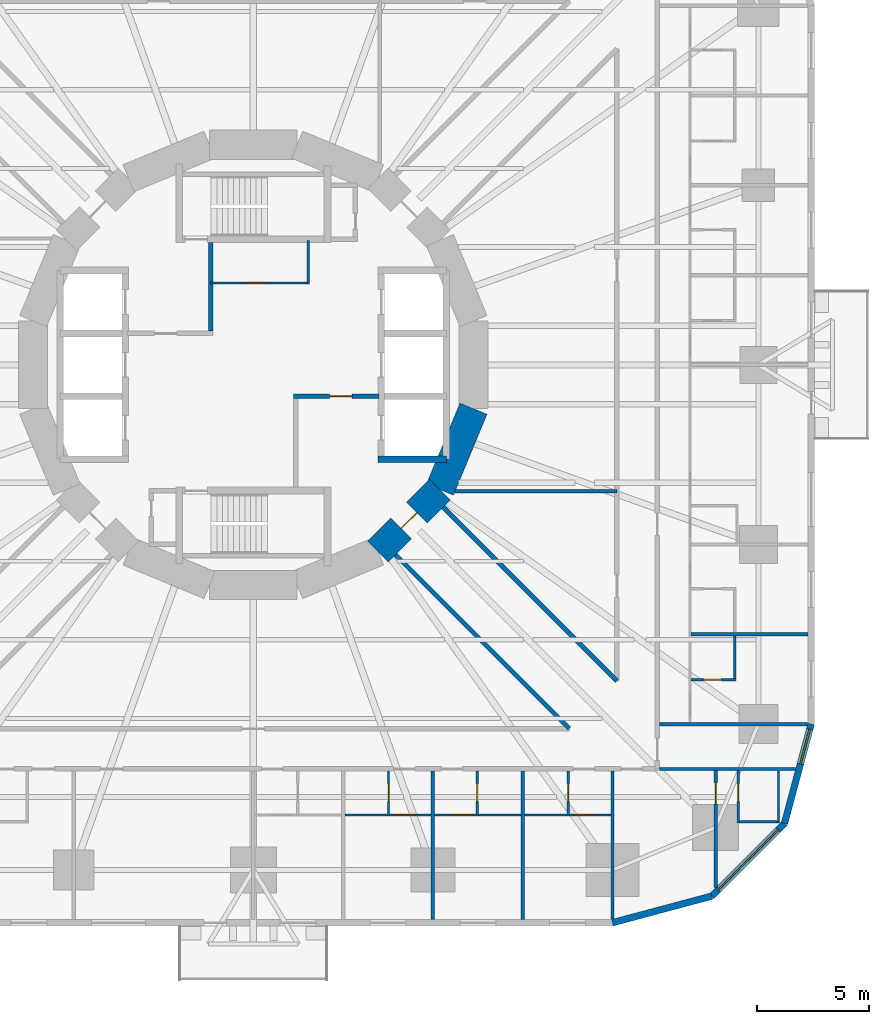
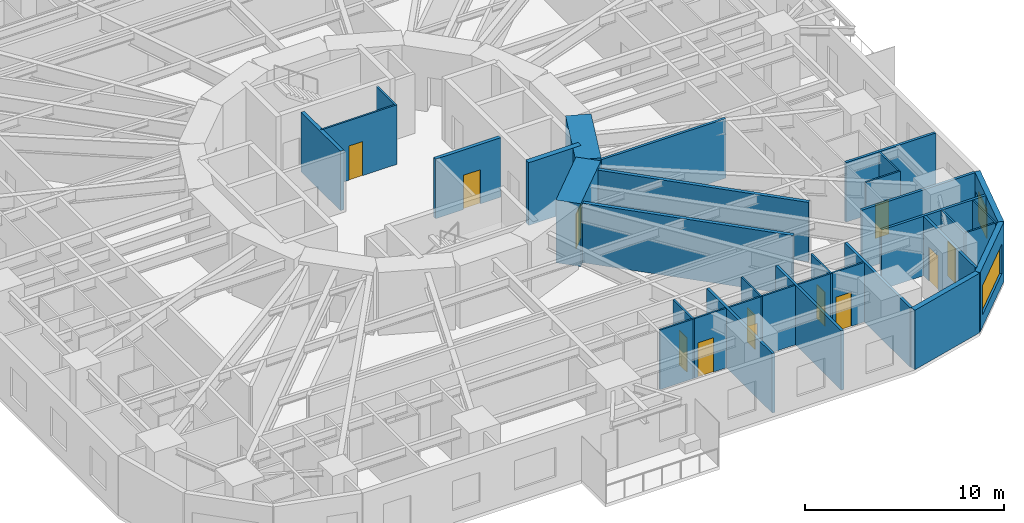
# One storey, part 7 of 14: 34 walls, 12 doors, 2 windows, 14 openings.
"""IFC4 building model written with IfcOpenShell, lengths in metres."""

from ifc_helpers import new_model, si_unit, direction, frame, frame_2d, origin, place, context, subcontext, project, spatial, rectangle, extrude, material, layer, layer_set, type_object, element, fill, save


model = new_model("IFC4")

# Units and contexts
model_context = context("Model", 3, precision=1e-05, world=origin(), true_north=direction((0.0, 1.0)))
body_context = subcontext(model_context, "Body", "Model", "MODEL_VIEW")
ifc_project = project(units=[si_unit("LENGTHUNIT", "METRE"), si_unit("AREAUNIT", "SQUARE_METRE"), si_unit("VOLUMEUNIT", "CUBIC_METRE"), si_unit("PLANEANGLEUNIT", "RADIAN"), si_unit("MASSUNIT", "GRAM", prefix="KILO")], contexts=[model_context])

# Site, building, storey
site_placement = place(None, origin())
site = spatial("IfcSite", under=ifc_project, at=site_placement, CompositionType="ELEMENT")
building_placement = place(site_placement, origin())
building = spatial("IfcBuilding", under=site, at=building_placement, Name="Nakasero Lantern House", CompositionType="ELEMENT")
storey_placement = place(building_placement, frame((0.0, 0.0, 35.25)))
storey = spatial("IfcBuildingStorey", under=building, at=storey_placement, Name="L08", CompositionType="ELEMENT", Elevation=35.25)

# Wall
ifc_material_1 = material(Name="Concrete C50/60", Category="concrete")
ifc_layer_1 = layer(ifc_material_1, 0.300048828125)
ifc_layer_set_1 = layer_set([ifc_layer_1], Name="Core inner wall 300")
wall_type_1 = type_object("IfcWallType", Name="Core inner wall 300", PredefinedType="SHEAR", material=ifc_layer_set_1)
wall_1_placement = place(storey_placement, frame((5.550048828125, -4.199951171875, 0.0), z_axis=(0.0, 0.0, 1.0), x_axis=(1.0, 0.0, 0.0)))
element("IfcWall", 1, at=wall_1_placement, inside=storey, type_object=wall_type_1, Name="Core inner wall L08 LES", PredefinedType="SHEAR", context=body_context, shape_type="SweptSolid", body=[
    extrude(rectangle(XDim=3.050048828125, YDim=0.300048828125, at=frame_2d((1.52490234375, 0.0))), origin(), (0.0, 0.0, 1.0), 3.85009765625),
])

# Wall, opening, door
ifc_material_2 = material(Name="Blockwork", Category="masonry")
ifc_layer_2 = layer(ifc_material_2, 0.10009765625)
ifc_layer_set_2 = layer_set([ifc_layer_2], Name="Core room wall 100")
wall_type_2 = type_object("IfcWallType", Name="Core room wall 100", PredefinedType="PARTITIONING", material=ifc_layer_set_2)
wall_2_placement = place(storey_placement, frame((-1.89990234375, 3.64990234375, 0.0), z_axis=(0.0, 0.0, 1.0), x_axis=(1.0, 0.0, 0.0)))
wall_2 = element("IfcWall", 2, at=wall_2_placement, inside=storey, type_object=wall_type_2, Name="Core room wall L08 CR-NES", PredefinedType="PARTITIONING", context=body_context, shape_type="SweptSolid", body=[
    extrude(rectangle(XDim=4.39990234375, YDim=0.10009765625, at=frame_2d((2.199951171875, 0.0))), origin(), (0.0, 0.0, 1.0), 3.64990234375),
])
opening_1_placement = place(wall_2_placement, frame((1.60009765625, 0.0, 0.0)))
opening_1 = element("IfcOpeningElement", 3, at=opening_1_placement, cuts=wall_2, Name="Opening D15", PredefinedType="OPENING", context=body_context, shape_type="SweptSolid", body=[
    extrude(rectangle(XDim=0.800048828125, YDim=2.10009765625, at=frame_2d((0.39990234375, 1.050048828125))), frame((0.0, 0.070068359375, 0.0), z_axis=(0.0, -1.0, 0.0), x_axis=(1.0, 0.0, 0.0)), (0.0, 0.0, 1.0), 0.14013671875),
])
ifc_material_3 = material(Name="Timber C24", Category="wood")
door_type_1 = type_object("IfcDoorType", Name="Cleaner's store door FD30S 800", OperationType="SINGLE_SWING_LEFT", PredefinedType="DOOR", material=ifc_material_3)
door_1_placement = place(opening_1_placement, origin())
door_1 = element("IfcDoor", 4, at=door_1_placement, inside=storey, type_object=door_type_1, Name="Door L08 D-CR-NE", OperationType="SINGLE_SWING_LEFT", OverallHeight=2.10009765625, OverallWidth=0.800048828125, PredefinedType="DOOR", context=body_context, shape_type="SweptSolid", body=[
    extrude(rectangle(XDim=0.800048828125, YDim=2.10009765625, at=frame_2d((0.39990234375, 1.050048828125))), frame((0.0, 0.02490234375, 0.0), z_axis=(0.0, -1.0, 0.0), x_axis=(1.0, 0.0, 0.0)), (0.0, 0.0, 1.0), 0.050048828125),
])
fill(opening_1, door_1)

# Wall
wall_3_placement = place(storey_placement, frame((2.449951171875, 3.60009765625, 0.0), z_axis=(0.0, 0.0, 1.0), x_axis=(0.0, 1.0, 0.0)))
element("IfcWall", 5, at=wall_3_placement, inside=storey, type_object=wall_type_2, Name="Core room wall L08 CR-NEE", PredefinedType="PARTITIONING", context=body_context, shape_type="SweptSolid", body=[
    extrude(rectangle(XDim=1.949951171875, YDim=0.10009765625, at=frame_2d((0.97509765625, 0.0))), origin(), (0.0, 0.0, 1.0), 3.64990234375),
])

# Wall, opening, door
ifc_material_4 = material(Name="Concrete C50/60", Category="concrete")
ifc_layer_3 = layer(ifc_material_4, 1.300048828125)
ifc_layer_set_3 = layer_set([ifc_layer_3], Name="Core wall 1300")
wall_type_3 = type_object("IfcWallType", Name="Core wall 1300", PredefinedType="SHEAR", material=ifc_layer_set_3)
wall_4_placement = place(storey_placement, frame((5.5556640625, -8.314697265625, 0.0), z_axis=(0.0, 0.0, 1.0), x_axis=(0.707106781187, 0.707106781187, 0.0)))
wall_4 = element("IfcWall", 6, at=wall_4_placement, inside=storey, type_object=wall_type_3, Name="Core wall L08 facet 14", PredefinedType="SHEAR", context=body_context, shape_type="SweptSolid", body=[
    extrude(rectangle(XDim=3.90185546875, YDim=1.300048828125, at=frame_2d((1.950927734375, 0.0))), origin(), (0.0, 0.0, 1.0), 3.85009765625),
])
opening_2_placement = place(wall_4_placement, frame((1.450927734375, 0.0, 0.0)))
opening_2 = element("IfcOpeningElement", 7, at=opening_2_placement, cuts=wall_4, Name="Opening D05", PredefinedType="OPENING", context=body_context, shape_type="SweptSolid", body=[
    extrude(rectangle(XDim=1.0, YDim=2.10009765625, at=frame_2d((0.5, 1.050048828125))), frame((0.0, 0.669921875, 0.0), z_axis=(0.0, -1.0, 0.0), x_axis=(1.0, 0.0, 0.0)), (0.0, 0.0, 1.0), 1.340087890625),
])
ifc_material_5 = material(Name="Timber C24", Category="wood")
door_type_2 = type_object("IfcDoorType", Name="Core door FD60S 1000", OperationType="SINGLE_SWING_LEFT", PredefinedType="DOOR", material=ifc_material_5)
door_2_placement = place(opening_2_placement, origin())
door_2 = element("IfcDoor", 8, at=door_2_placement, inside=storey, type_object=door_type_2, Name="Door L08 D-CORE14", OperationType="SINGLE_SWING_LEFT", OverallHeight=2.10009765625, OverallWidth=1.0, PredefinedType="DOOR", context=body_context, shape_type="SweptSolid", body=[
    extrude(rectangle(XDim=1.0, YDim=2.10009765625, at=frame_2d((0.5, 1.050048828125))), frame((0.0, 0.02490234375, 0.0), z_axis=(0.0, -1.0, 0.0), x_axis=(1.0, 0.0, 0.0)), (0.0, 0.0, 1.0), 0.050048828125),
])
fill(opening_2, door_2)

# Walls
wall_5_placement = place(storey_placement, frame((8.314697265625, -5.5556640625, 0.0), z_axis=(0.0, 0.0, 1.0), x_axis=(0.382690736062, 0.923876507187, 0.0)))
element("IfcWall", 9, at=wall_5_placement, inside=storey, type_object=wall_type_3, Name="Core wall L08 facet 15", PredefinedType="SHEAR", context=body_context, shape_type="SweptSolid", body=[
    extrude(rectangle(XDim=3.90185546875, YDim=1.300048828125, at=frame_2d((1.950927734375, 0.0))), origin(), (0.0, 0.0, 1.0), 3.85009765625),
])
ifc_material_6 = material(Name="Blockwork", Category="masonry")
ifc_layer_4 = layer(ifc_material_6, 0.199951171875)
ifc_layer_set_4 = layer_set([ifc_layer_4], Name="Corridor wall 200")
wall_type_4 = type_object("IfcWallType", Name="Corridor wall 200", PredefinedType="PARTITIONING", material=ifc_layer_set_4)
for number, where, z_axis, x_axis, name in (
    (10, (8.45556640625, -6.334228515625, 0.0), (0.0, 0.0, 1.0), (0.707106781187, -0.707106781187, 0.0), "Corridor wall L08 PS14a"),
    (11, (6.334228515625, -8.45556640625, 0.0), (0.0, 0.0, 1.0), (0.707106781187, -0.707106781187, 0.0), "Corridor wall L08 PS14b"),
):
    element("IfcWall", number, at=place(storey_placement, frame(where, z_axis=z_axis, x_axis=x_axis)), inside=storey, type_object=wall_type_4, Name=name, PredefinedType="PARTITIONING", context=body_context, shape_type="SweptSolid", body=[
        extrude(rectangle(XDim=10.9521484375, YDim=0.199951171875, at=frame_2d((5.47607421875, 0.0))), origin(), (0.0, 0.0, 1.0), 3.64990234375),
    ])

# Wall, opening, door
ifc_material_7 = material(Name="Blockwork", Category="masonry")
ifc_layer_5 = layer(ifc_material_7, 0.10009765625)
ifc_layer_set_5 = layer_set([ifc_layer_5], Name="En-suite wall 100")
wall_type_5 = type_object("IfcWallType", Name="En-suite wall 100", PredefinedType="PARTITIONING", material=ifc_layer_set_5)
wall_6_placement = place(storey_placement, frame((19.5, -14.02490234375, 0.0), z_axis=(0.0, 0.0, 1.0), x_axis=(1.0, 0.0, 0.0)))
wall_6 = element("IfcWall", 12, at=wall_6_placement, inside=storey, type_object=wall_type_5, Name="En-suite wall L08 ES0-01", PredefinedType="PARTITIONING", context=body_context, shape_type="SweptSolid", body=[
    extrude(rectangle(XDim=2.0, YDim=0.10009765625, at=frame_2d((1.0, 0.0))), origin(), (0.0, 0.0, 1.0), 3.64990234375),
])
opening_3_placement = place(wall_6_placement, frame((0.550048828125, 0.0, 0.0)))
opening_3 = element("IfcOpeningElement", 13, at=opening_3_placement, cuts=wall_6, Name="Opening D02", PredefinedType="OPENING", context=body_context, shape_type="SweptSolid", body=[
    extrude(rectangle(XDim=0.800048828125, YDim=2.10009765625, at=frame_2d((0.39990234375, 1.050048828125))), frame((0.0, 0.070068359375, 0.0), z_axis=(0.0, -1.0, 0.0), x_axis=(1.0, 0.0, 0.0)), (0.0, 0.0, 1.0), 0.14013671875),
])
ifc_material_8 = material(Name="Timber C24", Category="wood")
door_type_3 = type_object("IfcDoorType", Name="En-suite door 800", OperationType="SINGLE_SWING_RIGHT", PredefinedType="DOOR", material=ifc_material_8)
door_3_placement = place(opening_3_placement, origin())
door_3 = element("IfcDoor", 14, at=door_3_placement, inside=storey, type_object=door_type_3, Name="Door L08 DE0-01", OperationType="SINGLE_SWING_LEFT", OverallHeight=2.10009765625, OverallWidth=0.800048828125, PredefinedType="DOOR", context=body_context, shape_type="SweptSolid", body=[
    extrude(rectangle(XDim=0.800048828125, YDim=2.10009765625, at=frame_2d((0.39990234375, 1.050048828125))), frame((0.0, 0.02490234375, 0.0), z_axis=(0.0, -1.0, 0.0), x_axis=(1.0, 0.0, 0.0)), (0.0, 0.0, 1.0), 0.050048828125),
])
fill(opening_3, door_3)

# Wall
wall_7_placement = place(storey_placement, frame((21.449951171875, -13.97509765625, 0.0), z_axis=(0.0, 0.0, 1.0), x_axis=(0.0, 1.0, 0.0)))
element("IfcWall", 15, at=wall_7_placement, inside=storey, type_object=wall_type_5, Name="En-suite wall L08 EE0-01", PredefinedType="PARTITIONING", context=body_context, shape_type="SweptSolid", body=[
    extrude(rectangle(XDim=1.900146484375, YDim=0.10009765625, at=frame_2d((0.9501953125, 0.0))), origin(), (0.0, 0.0, 1.0), 3.64990234375),
])

# Wall, opening, door
wall_8_placement = place(storey_placement, frame((6.02490234375, -18.10009765625, 0.0), z_axis=(0.0, 0.0, 1.0), x_axis=(0.0, -1.0, 0.0)))
wall_8 = element("IfcWall", 16, at=wall_8_placement, inside=storey, type_object=wall_type_5, Name="En-suite wall L08 ES3-06", PredefinedType="PARTITIONING", context=body_context, shape_type="SweptSolid", body=[
    extrude(rectangle(XDim=2.0, YDim=0.10009765625, at=frame_2d((1.0, 0.0))), origin(), (0.0, 0.0, 1.0), 3.64990234375),
])
opening_4_placement = place(wall_8_placement, frame((0.550048828125, 0.0, 0.0)))
opening_4 = element("IfcOpeningElement", 17, at=opening_4_placement, cuts=wall_8, Name="Opening D02", PredefinedType="OPENING", context=body_context, shape_type="SweptSolid", body=[
    extrude(rectangle(XDim=0.800048828125, YDim=2.10009765625, at=frame_2d((0.39990234375, 1.050048828125))), frame((0.0, 0.070068359375, 0.0), z_axis=(0.0, -1.0, 0.0), x_axis=(1.0, 0.0, 0.0)), (0.0, 0.0, 1.0), 0.14013671875),
])
door_4_placement = place(opening_4_placement, origin())
door_4 = element("IfcDoor", 18, at=door_4_placement, inside=storey, type_object=door_type_3, Name="Door L08 DE3-06", OperationType="SINGLE_SWING_LEFT", OverallHeight=2.10009765625, OverallWidth=0.800048828125, PredefinedType="DOOR", context=body_context, shape_type="SweptSolid", body=[
    extrude(rectangle(XDim=0.800048828125, YDim=2.10009765625, at=frame_2d((0.39990234375, 1.050048828125))), frame((0.0, 0.02490234375, 0.0), z_axis=(0.0, -1.0, 0.0), x_axis=(1.0, 0.0, 0.0)), (0.0, 0.0, 1.0), 0.050048828125),
])
fill(opening_4, door_4)

# Wall
wall_9_placement = place(storey_placement, frame((4.074951171875, -20.050048828125, 0.0), z_axis=(0.0, 0.0, 1.0), x_axis=(1.0, 0.0, 0.0)))
element("IfcWall", 19, at=wall_9_placement, inside=storey, type_object=wall_type_5, Name="En-suite wall L08 EE3-06", PredefinedType="PARTITIONING", context=body_context, shape_type="SweptSolid", body=[
    extrude(rectangle(XDim=1.900146484375, YDim=0.10009765625, at=frame_2d((0.9501953125, 0.0))), origin(), (0.0, 0.0, 1.0), 3.64990234375),
])

# Wall, opening, door
wall_10_placement = place(storey_placement, frame((9.97509765625, -18.10009765625, 0.0), z_axis=(0.0, 0.0, 1.0), x_axis=(0.0, -1.0, 0.0)))
wall_10 = element("IfcWall", 20, at=wall_10_placement, inside=storey, type_object=wall_type_5, Name="En-suite wall L08 ES3-07", PredefinedType="PARTITIONING", context=body_context, shape_type="SweptSolid", body=[
    extrude(rectangle(XDim=2.0, YDim=0.10009765625, at=frame_2d((1.0, 0.0))), origin(), (0.0, 0.0, 1.0), 3.64990234375),
])
opening_5_placement = place(wall_10_placement, frame((0.550048828125, 0.0, 0.0)))
opening_5 = element("IfcOpeningElement", 21, at=opening_5_placement, cuts=wall_10, Name="Opening D02", PredefinedType="OPENING", context=body_context, shape_type="SweptSolid", body=[
    extrude(rectangle(XDim=0.800048828125, YDim=2.10009765625, at=frame_2d((0.39990234375, 1.050048828125))), frame((0.0, 0.070068359375, 0.0), z_axis=(0.0, -1.0, 0.0), x_axis=(1.0, 0.0, 0.0)), (0.0, 0.0, 1.0), 0.14013671875),
])
door_5_placement = place(opening_5_placement, origin())
door_5 = element("IfcDoor", 22, at=door_5_placement, inside=storey, type_object=door_type_3, Name="Door L08 DE3-07", OperationType="SINGLE_SWING_LEFT", OverallHeight=2.10009765625, OverallWidth=0.800048828125, PredefinedType="DOOR", context=body_context, shape_type="SweptSolid", body=[
    extrude(rectangle(XDim=0.800048828125, YDim=2.10009765625, at=frame_2d((0.39990234375, 1.050048828125))), frame((0.0, 0.02490234375, 0.0), z_axis=(0.0, -1.0, 0.0), x_axis=(1.0, 0.0, 0.0)), (0.0, 0.0, 1.0), 0.050048828125),
])
fill(opening_5, door_5)

# Wall
wall_11_placement = place(storey_placement, frame((10.02490234375, -20.050048828125, 0.0), z_axis=(0.0, 0.0, 1.0), x_axis=(1.0, 0.0, 0.0)))
element("IfcWall", 23, at=wall_11_placement, inside=storey, type_object=wall_type_5, Name="En-suite wall L08 EE3-07", PredefinedType="PARTITIONING", context=body_context, shape_type="SweptSolid", body=[
    extrude(rectangle(XDim=1.900146484375, YDim=0.10009765625, at=frame_2d((0.9501953125, 0.0))), origin(), (0.0, 0.0, 1.0), 3.64990234375),
])

# Wall, opening, door
wall_12_placement = place(storey_placement, frame((14.02490234375, -18.10009765625, 0.0), z_axis=(0.0, 0.0, 1.0), x_axis=(0.0, -1.0, 0.0)))
wall_12 = element("IfcWall", 24, at=wall_12_placement, inside=storey, type_object=wall_type_5, Name="En-suite wall L08 ES3-08", PredefinedType="PARTITIONING", context=body_context, shape_type="SweptSolid", body=[
    extrude(rectangle(XDim=2.0, YDim=0.10009765625, at=frame_2d((1.0, 0.0))), origin(), (0.0, 0.0, 1.0), 3.64990234375),
])
opening_6_placement = place(wall_12_placement, frame((0.550048828125, 0.0, 0.0)))
opening_6 = element("IfcOpeningElement", 25, at=opening_6_placement, cuts=wall_12, Name="Opening D02", PredefinedType="OPENING", context=body_context, shape_type="SweptSolid", body=[
    extrude(rectangle(XDim=0.800048828125, YDim=2.10009765625, at=frame_2d((0.39990234375, 1.050048828125))), frame((0.0, 0.070068359375, 0.0), z_axis=(0.0, -1.0, 0.0), x_axis=(1.0, 0.0, 0.0)), (0.0, 0.0, 1.0), 0.14013671875),
])
door_6_placement = place(opening_6_placement, origin())
door_6 = element("IfcDoor", 26, at=door_6_placement, inside=storey, type_object=door_type_3, Name="Door L08 DE3-08", OperationType="SINGLE_SWING_LEFT", OverallHeight=2.10009765625, OverallWidth=0.800048828125, PredefinedType="DOOR", context=body_context, shape_type="SweptSolid", body=[
    extrude(rectangle(XDim=0.800048828125, YDim=2.10009765625, at=frame_2d((0.39990234375, 1.050048828125))), frame((0.0, 0.02490234375, 0.0), z_axis=(0.0, -1.0, 0.0), x_axis=(1.0, 0.0, 0.0)), (0.0, 0.0, 1.0), 0.050048828125),
])
fill(opening_6, door_6)

# Wall
wall_13_placement = place(storey_placement, frame((12.074951171875, -20.050048828125, 0.0), z_axis=(0.0, 0.0, 1.0), x_axis=(1.0, 0.0, 0.0)))
element("IfcWall", 27, at=wall_13_placement, inside=storey, type_object=wall_type_5, Name="En-suite wall L08 EE3-08", PredefinedType="PARTITIONING", context=body_context, shape_type="SweptSolid", body=[
    extrude(rectangle(XDim=1.900146484375, YDim=0.10009765625, at=frame_2d((0.9501953125, 0.0))), origin(), (0.0, 0.0, 1.0), 3.64990234375),
])

# Wall, opening, door
wall_14_placement = place(storey_placement, frame((21.59619140625, -18.06494140625, 0.0), z_axis=(0.0, 0.0, 1.0), x_axis=(0.0, -1.0, 0.0)))
wall_14 = element("IfcWall", 28, at=wall_14_placement, inside=storey, type_object=wall_type_5, Name="En-suite wall L08 ES3-09", PredefinedType="PARTITIONING", context=body_context, shape_type="SweptSolid", body=[
    extrude(rectangle(XDim=2.3349609375, YDim=0.10009765625, at=frame_2d((1.16748046875, 0.0))), origin(), (0.0, 0.0, 1.0), 3.64990234375),
])
opening_7_placement = place(wall_14_placement, frame((0.5849609375, 0.0, 0.0)))
opening_7 = element("IfcOpeningElement", 29, at=opening_7_placement, cuts=wall_14, Name="Opening D02", PredefinedType="OPENING", context=body_context, shape_type="SweptSolid", body=[
    extrude(rectangle(XDim=0.800048828125, YDim=2.10009765625, at=frame_2d((0.39990234375, 1.050048828125))), frame((0.0, 0.070068359375, 0.0), z_axis=(0.0, -1.0, 0.0), x_axis=(1.0, 0.0, 0.0)), (0.0, 0.0, 1.0), 0.14013671875),
])
door_7_placement = place(opening_7_placement, origin())
door_7 = element("IfcDoor", 30, at=door_7_placement, inside=storey, type_object=door_type_3, Name="Door L08 DE3-09", OperationType="SINGLE_SWING_LEFT", OverallHeight=2.10009765625, OverallWidth=0.800048828125, PredefinedType="DOOR", context=body_context, shape_type="SweptSolid", body=[
    extrude(rectangle(XDim=0.800048828125, YDim=2.10009765625, at=frame_2d((0.39990234375, 1.050048828125))), frame((0.0, 0.02490234375, 0.0), z_axis=(0.0, -1.0, 0.0), x_axis=(1.0, 0.0, 0.0)), (0.0, 0.0, 1.0), 0.050048828125),
])
fill(opening_7, door_7)

# Walls
wall_15_placement = place(storey_placement, frame((21.646240234375, -20.35009765625, 0.0), z_axis=(0.0, 0.0, 1.0), x_axis=(1.0, 0.0, 0.0)))
element("IfcWall", 31, at=wall_15_placement, inside=storey, type_object=wall_type_5, Name="En-suite wall L08 EE3-09", PredefinedType="PARTITIONING", context=body_context, shape_type="SweptSolid", body=[
    extrude(rectangle(XDim=1.699951171875, YDim=0.10009765625, at=frame_2d((0.85009765625, 0.0))), origin(), (0.0, 0.0, 1.0), 3.64990234375),
])
wall_16_placement = place(storey_placement, frame((23.396240234375, -18.10009765625, 0.0), z_axis=(0.0, 0.0, 1.0), x_axis=(0.0, -1.0, 0.0)))
element("IfcWall", 32, at=wall_16_placement, inside=storey, type_object=wall_type_5, Name="En-suite wall L08 EV3-09", PredefinedType="PARTITIONING", context=body_context, shape_type="SweptSolid", body=[
    extrude(rectangle(XDim=2.2998046875, YDim=0.10009765625, at=frame_2d((1.14990234375, 0.0))), origin(), (0.0, 0.0, 1.0), 3.64990234375),
])

# Wall, opening, door
wall_17_placement = place(storey_placement, frame((6.074951171875, -20.050048828125, 0.0), z_axis=(0.0, 0.0, 1.0), x_axis=(1.0, 0.0, 0.0)))
wall_17 = element("IfcWall", 33, at=wall_17_placement, inside=storey, type_object=wall_type_5, Name="En-suite wall L08 EL3-06", PredefinedType="PARTITIONING", context=body_context, shape_type="SweptSolid", body=[
    extrude(rectangle(XDim=1.85009765625, YDim=0.10009765625, at=frame_2d((0.925048828125, 0.0))), origin(), (0.0, 0.0, 1.0), 3.64990234375),
])
opening_8_placement = place(wall_17_placement, frame((0.199951171875, 0.0, 0.0)))
opening_8 = element("IfcOpeningElement", 34, at=opening_8_placement, cuts=wall_17, Name="Opening D17", PredefinedType="OPENING", context=body_context, shape_type="SweptSolid", body=[
    extrude(rectangle(XDim=0.89990234375, YDim=2.10009765625, at=frame_2d((0.449951171875, 1.050048828125))), frame((0.0, 0.070068359375, 0.0), z_axis=(0.0, -1.0, 0.0), x_axis=(1.0, 0.0, 0.0)), (0.0, 0.0, 1.0), 0.14013671875),
])
ifc_material_9 = material(Name="Timber C24", Category="wood")
door_type_4 = type_object("IfcDoorType", Name="Bedroom door FD30S 900", OperationType="SINGLE_SWING_LEFT", PredefinedType="DOOR", material=ifc_material_9)
door_8_placement = place(opening_8_placement, origin())
door_8 = element("IfcDoor", 35, at=door_8_placement, inside=storey, type_object=door_type_4, Name="Door L08 DL3-06", OperationType="SINGLE_SWING_LEFT", OverallHeight=2.10009765625, OverallWidth=0.89990234375, PredefinedType="DOOR", context=body_context, shape_type="SweptSolid", body=[
    extrude(rectangle(XDim=0.89990234375, YDim=2.10009765625, at=frame_2d((0.449951171875, 1.050048828125))), frame((0.0, 0.02490234375, 0.0), z_axis=(0.0, -1.0, 0.0), x_axis=(1.0, 0.0, 0.0)), (0.0, 0.0, 1.0), 0.050048828125),
])
fill(opening_8, door_8)

wall_18_placement = place(storey_placement, frame((8.074951171875, -20.050048828125, 0.0), z_axis=(0.0, 0.0, 1.0), x_axis=(1.0, 0.0, 0.0)))
wall_18 = element("IfcWall", 36, at=wall_18_placement, inside=storey, type_object=wall_type_5, Name="En-suite wall L08 EL3-07", PredefinedType="PARTITIONING", context=body_context, shape_type="SweptSolid", body=[
    extrude(rectangle(XDim=1.85009765625, YDim=0.10009765625, at=frame_2d((0.925048828125, 0.0))), origin(), (0.0, 0.0, 1.0), 3.64990234375),
])
opening_9_placement = place(wall_18_placement, frame((0.75, 0.0, 0.0)))
opening_9 = element("IfcOpeningElement", 37, at=opening_9_placement, cuts=wall_18, Name="Opening D17", PredefinedType="OPENING", context=body_context, shape_type="SweptSolid", body=[
    extrude(rectangle(XDim=0.89990234375, YDim=2.10009765625, at=frame_2d((0.449951171875, 1.050048828125))), frame((0.0, 0.070068359375, 0.0), z_axis=(0.0, -1.0, 0.0), x_axis=(1.0, 0.0, 0.0)), (0.0, 0.0, 1.0), 0.14013671875),
])
door_9_placement = place(opening_9_placement, origin())
door_9 = element("IfcDoor", 38, at=door_9_placement, inside=storey, type_object=door_type_4, Name="Door L08 DL3-07", OperationType="SINGLE_SWING_RIGHT", OverallHeight=2.10009765625, OverallWidth=0.89990234375, PredefinedType="DOOR", context=body_context, shape_type="SweptSolid", body=[
    extrude(rectangle(XDim=0.89990234375, YDim=2.10009765625, at=frame_2d((0.449951171875, 1.050048828125))), frame((0.0, 0.02490234375, 0.0), z_axis=(0.0, -1.0, 0.0), x_axis=(1.0, 0.0, 0.0)), (0.0, 0.0, 1.0), 0.050048828125),
])
fill(opening_9, door_9)

wall_19_placement = place(storey_placement, frame((14.074951171875, -20.050048828125, 0.0), z_axis=(0.0, 0.0, 1.0), x_axis=(1.0, 0.0, 0.0)))
wall_19 = element("IfcWall", 39, at=wall_19_placement, inside=storey, type_object=wall_type_5, Name="En-suite wall L08 EL3-08", PredefinedType="PARTITIONING", context=body_context, shape_type="SweptSolid", body=[
    extrude(rectangle(XDim=1.85009765625, YDim=0.10009765625, at=frame_2d((0.925048828125, 0.0))), origin(), (0.0, 0.0, 1.0), 3.64990234375),
])
opening_10_placement = place(wall_19_placement, frame((0.199951171875, 0.0, 0.0)))
opening_10 = element("IfcOpeningElement", 40, at=opening_10_placement, cuts=wall_19, Name="Opening D17", PredefinedType="OPENING", context=body_context, shape_type="SweptSolid", body=[
    extrude(rectangle(XDim=0.89990234375, YDim=2.10009765625, at=frame_2d((0.449951171875, 1.050048828125))), frame((0.0, 0.070068359375, 0.0), z_axis=(0.0, -1.0, 0.0), x_axis=(1.0, 0.0, 0.0)), (0.0, 0.0, 1.0), 0.14013671875),
])
door_10_placement = place(opening_10_placement, origin())
door_10 = element("IfcDoor", 41, at=door_10_placement, inside=storey, type_object=door_type_4, Name="Door L08 DL3-08", OperationType="SINGLE_SWING_LEFT", OverallHeight=2.10009765625, OverallWidth=0.89990234375, PredefinedType="DOOR", context=body_context, shape_type="SweptSolid", body=[
    extrude(rectangle(XDim=0.89990234375, YDim=2.10009765625, at=frame_2d((0.449951171875, 1.050048828125))), frame((0.0, 0.02490234375, 0.0), z_axis=(0.0, -1.0, 0.0), x_axis=(1.0, 0.0, 0.0)), (0.0, 0.0, 1.0), 0.050048828125),
])
fill(opening_10, door_10)

# Wall
ifc_material_10 = material(Name="Aluminium rainscreen on blockwork", Category="masonry")
ifc_layer_6 = layer(ifc_material_10, 0.300048828125)
ifc_layer_set_6 = layer_set([ifc_layer_6], Name="Facade wall 300")
wall_type_6 = type_object("IfcWallType", Name="Facade wall 300", PredefinedType="SOLIDWALL", material=ifc_layer_set_6)
wall_20_placement = place(storey_placement, frame((16.0, -24.85009765625, 0.0), z_axis=(0.0, 0.0, 1.0), x_axis=(0.965920218567, 0.258839972501, 0.0)))
element("IfcWall", 42, at=wall_20_placement, inside=storey, type_object=wall_type_6, Name="Facade wall L08 FW3C1", PredefinedType="SOLIDWALL", context=body_context, shape_type="SweptSolid", body=[
    extrude(rectangle(XDim=4.5810546875, YDim=0.300048828125, at=frame_2d((2.29052734375, 0.0))), origin(), (0.0, 0.0, 1.0), 3.64990234375),
])

# Wall, opening, window
wall_21_placement = place(storey_placement, frame((20.425048828125, -23.664306640625, 0.0), z_axis=(0.0, 0.0, 1.0), x_axis=(0.707106781187, 0.707106781187, 0.0)))
wall_21 = element("IfcWall", 43, at=wall_21_placement, inside=storey, type_object=wall_type_6, Name="Facade wall L08 FW3C2", PredefinedType="SOLIDWALL", context=body_context, shape_type="SweptSolid", body=[
    extrude(rectangle(XDim=4.5810546875, YDim=0.300048828125, at=frame_2d((2.29052734375, 0.0))), origin(), (0.0, 0.0, 1.0), 3.64990234375),
])
opening_11_placement = place(wall_21_placement, frame((0.39990234375, 0.0, 0.75)))
opening_11 = element("IfcOpeningElement", 44, at=opening_11_placement, cuts=wall_21, Name="Opening W237", PredefinedType="OPENING", context=body_context, shape_type="SweptSolid", body=[
    extrude(rectangle(XDim=3.781005859375, YDim=1.800048828125, at=frame_2d((1.890625, 0.89990234375))), frame((0.0, 0.169921875, 0.0), z_axis=(0.0, -1.0, 0.0), x_axis=(1.0, 0.0, 0.0)), (0.0, 0.0, 1.0), 0.340087890625),
])
ifc_material_11 = material(Name="Aluminium 6063-T6 and glass", Category="aluminium")
window_type_1 = type_object("IfcWindowType", Name="Corner window 3781x1800", PartitioningType="SINGLE_PANEL", PredefinedType="WINDOW", material=ifc_material_11)
window_1_placement = place(opening_11_placement, origin())
window_1 = element("IfcWindow", 45, at=window_1_placement, inside=storey, type_object=window_type_1, Name="Window L08 WC3", OverallHeight=1.800048828125, OverallWidth=3.781005859375, PartitioningType="SINGLE_PANEL", PredefinedType="WINDOW", context=body_context, shape_type="SweptSolid", body=[
    extrude(rectangle(XDim=3.781005859375, YDim=1.800048828125, at=frame_2d((1.890625, 0.89990234375))), frame((0.0, 0.030029296875, 0.0), z_axis=(0.0, -1.0, 0.0), x_axis=(1.0, 0.0, 0.0)), (0.0, 0.0, 1.0), 0.06005859375),
])
fill(opening_11, window_1)

wall_22_placement = place(storey_placement, frame((23.664306640625, -20.425048828125, 0.0), z_axis=(0.0, 0.0, 1.0), x_axis=(0.258839972501, 0.965920218567, 0.0)))
wall_22 = element("IfcWall", 46, at=wall_22_placement, inside=storey, type_object=wall_type_6, Name="Facade wall L08 FW3C3", PredefinedType="SOLIDWALL", context=body_context, shape_type="SweptSolid", body=[
    extrude(rectangle(XDim=4.5810546875, YDim=0.300048828125, at=frame_2d((2.29052734375, 0.0))), origin(), (0.0, 0.0, 1.0), 3.64990234375),
])
opening_12_placement = place(wall_22_placement, frame((2.74609375, 0.0, 0.75)))
opening_12 = element("IfcOpeningElement", 47, at=opening_12_placement, cuts=wall_22, Name="Opening W01", PredefinedType="OPENING", context=body_context, shape_type="SweptSolid", body=[
    extrude(rectangle(XDim=1.60009765625, YDim=1.800048828125, at=frame_2d((0.800048828125, 0.89990234375))), frame((0.0, 0.169921875, 0.0), z_axis=(0.0, -1.0, 0.0), x_axis=(1.0, 0.0, 0.0)), (0.0, 0.0, 1.0), 0.340087890625),
])
ifc_material_12 = material(Name="Aluminium 6063-T6 and glass", Category="aluminium")
window_type_2 = type_object("IfcWindowType", Name="Bedroom window 1600x1800", PartitioningType="SINGLE_PANEL", PredefinedType="WINDOW", material=ifc_material_12)
window_2_placement = place(opening_12_placement, origin())
window_2 = element("IfcWindow", 48, at=window_2_placement, inside=storey, type_object=window_type_2, Name="Window L08 WN0-00", OverallHeight=1.800048828125, OverallWidth=1.60009765625, PartitioningType="SINGLE_PANEL", PredefinedType="WINDOW", context=body_context, shape_type="SweptSolid", body=[
    extrude(rectangle(XDim=1.60009765625, YDim=1.800048828125, at=frame_2d((0.800048828125, 0.89990234375))), frame((0.0, 0.030029296875, 0.0), z_axis=(0.0, -1.0, 0.0), x_axis=(1.0, 0.0, 0.0)), (0.0, 0.0, 1.0), 0.06005859375),
])
fill(opening_12, window_2)

# Wall
ifc_material_13 = material(Name="Blockwork", Category="masonry")
ifc_layer_7 = layer(ifc_material_13, 0.199951171875)
ifc_layer_set_7 = layer_set([ifc_layer_7], Name="Fire lobby wall 200")
wall_type_7 = type_object("IfcWallType", Name="Fire lobby wall 200", PredefinedType="PARTITIONING", material=ifc_layer_set_7)
wall_23_placement = place(storey_placement, frame((-1.89990234375, 1.5, 0.0), z_axis=(0.0, 0.0, 1.0), x_axis=(0.0, 1.0, 0.0)))
element("IfcWall", 49, at=wall_23_placement, inside=storey, type_object=wall_type_7, Name="Fire lobby wall L08 W-FL1E", PredefinedType="PARTITIONING", context=body_context, shape_type="SweptSolid", body=[
    extrude(rectangle(XDim=3.949951171875, YDim=0.199951171875, at=frame_2d((1.97509765625, 0.0))), origin(), (0.0, 0.0, 1.0), 3.64990234375),
])

# Wall, opening, door
wall_24_placement = place(storey_placement, frame((5.60009765625, -1.39990234375, 0.0), z_axis=(0.0, 0.0, 1.0), x_axis=(-1.0, 0.0, 0.0)))
wall_24 = element("IfcWall", 50, at=wall_24_placement, inside=storey, type_object=wall_type_7, Name="Fire lobby wall L08 W-FL2N", PredefinedType="PARTITIONING", context=body_context, shape_type="SweptSolid", body=[
    extrude(rectangle(XDim=3.800048828125, YDim=0.199951171875, at=frame_2d((1.89990234375, 0.0))), origin(), (0.0, 0.0, 1.0), 3.64990234375),
])
opening_13_placement = place(wall_24_placement, frame((1.199951171875, 0.0, 0.0)))
opening_13 = element("IfcOpeningElement", 51, at=opening_13_placement, cuts=wall_24, Name="Opening D05", PredefinedType="OPENING", context=body_context, shape_type="SweptSolid", body=[
    extrude(rectangle(XDim=1.0, YDim=2.10009765625, at=frame_2d((0.5, 1.050048828125))), frame((0.0, 0.119873046875, 0.0), z_axis=(0.0, -1.0, 0.0), x_axis=(1.0, 0.0, 0.0)), (0.0, 0.0, 1.0), 0.239990234375),
])
door_11_placement = place(opening_13_placement, origin())
door_11 = element("IfcDoor", 52, at=door_11_placement, inside=storey, type_object=door_type_2, Name="Door L08 D-FL2", OperationType="SINGLE_SWING_LEFT", OverallHeight=2.10009765625, OverallWidth=1.0, PredefinedType="DOOR", context=body_context, shape_type="SweptSolid", body=[
    extrude(rectangle(XDim=1.0, YDim=2.10009765625, at=frame_2d((0.5, 1.050048828125))), frame((0.0, 0.02490234375, 0.0), z_axis=(0.0, -1.0, 0.0), x_axis=(1.0, 0.0, 0.0)), (0.0, 0.0, 1.0), 0.050048828125),
])
fill(opening_13, door_11)

# Walls
ifc_material_14 = material(Name="Blockwork", Category="masonry")
ifc_layer_8 = layer(ifc_material_14, 0.14990234375)
ifc_layer_set_8 = layer_set([ifc_layer_8], Name="Party wall 150")
wall_type_8 = type_object("IfcWallType", Name="Party wall 150", PredefinedType="PARTITIONING", material=ifc_layer_set_8)
wall_25_placement = place(storey_placement, frame((18.10009765625, -18.0, 0.0), z_axis=(0.0, 0.0, 1.0), x_axis=(1.0, 0.0, 0.0)))
element("IfcWall", 53, at=wall_25_placement, inside=storey, type_object=wall_type_8, Name="Party wall L08 PW0-00", PredefinedType="PARTITIONING", context=body_context, shape_type="SweptSolid", body=[
    extrude(rectangle(XDim=6.053466796875, YDim=0.14990234375, at=frame_2d((3.02685546875, 0.0))), origin(), (0.0, 0.0, 1.0), 3.64990234375),
])
wall_26_placement = place(storey_placement, frame((18.10009765625, -16.0, 0.0), z_axis=(0.0, 0.0, 1.0), x_axis=(1.0, 0.0, 0.0)))
element("IfcWall", 54, at=wall_26_placement, inside=storey, type_object=wall_type_8, Name="Party wall L08 PW0-01", PredefinedType="PARTITIONING", context=body_context, shape_type="SweptSolid", body=[
    extrude(rectangle(XDim=6.58935546875, YDim=0.14990234375, at=frame_2d((3.294677734375, 0.0))), origin(), (0.0, 0.0, 1.0), 3.64990234375),
])
wall_27_placement = place(storey_placement, frame((19.5, -12.0, 0.0), z_axis=(0.0, 0.0, 1.0), x_axis=(1.0, 0.0, 0.0)))
element("IfcWall", 55, at=wall_27_placement, inside=storey, type_object=wall_type_8, Name="Party wall L08 PW0-02", PredefinedType="PARTITIONING", context=body_context, shape_type="SweptSolid", body=[
    extrude(rectangle(XDim=5.199951171875, YDim=0.14990234375, at=frame_2d((2.60009765625, 0.0))), origin(), (0.0, 0.0, 1.0), 3.64990234375),
])
for number, where, z_axis, x_axis, name in (
    (56, (8.0, -18.10009765625, 0.0), (0.0, 0.0, 1.0), (0.0, -1.0, 0.0), "Party wall L08 PW3-07"),
    (57, (12.0, -18.10009765625, 0.0), (0.0, 0.0, 1.0), (0.0, -1.0, 0.0), "Party wall L08 PW3-08"),
):
    element("IfcWall", number, at=place(storey_placement, frame(where, z_axis=z_axis, x_axis=x_axis)), inside=storey, type_object=wall_type_8, Name=name, PredefinedType="PARTITIONING", context=body_context, shape_type="SweptSolid", body=[
        extrude(rectangle(XDim=6.599853515625, YDim=0.14990234375, at=frame_2d((3.2998046875, 0.0))), origin(), (0.0, 0.0, 1.0), 3.64990234375),
    ])
wall_28_placement = place(storey_placement, frame((16.0, -18.10009765625, 0.0), z_axis=(0.0, 0.0, 1.0), x_axis=(0.0, -1.0, 0.0)))
element("IfcWall", 58, at=wall_28_placement, inside=storey, type_object=wall_type_8, Name="Party wall L08 PW3-09", PredefinedType="PARTITIONING", context=body_context, shape_type="SweptSolid", body=[
    extrude(rectangle(XDim=6.58935546875, YDim=0.14990234375, at=frame_2d((3.294677734375, 0.0))), origin(), (0.0, 0.0, 1.0), 3.64990234375),
])

# Wall, opening, door
wall_29_placement = place(storey_placement, frame((20.59619140625, -18.06494140625, 0.0), z_axis=(0.0, 0.0, 1.0), x_axis=(0.0, -1.0, 0.0)))
wall_29 = element("IfcWall", 59, at=wall_29_placement, inside=storey, type_object=wall_type_8, Name="Party wall L08 PC3", PredefinedType="PARTITIONING", context=body_context, shape_type="SweptSolid", body=[
    extrude(rectangle(XDim=5.208740234375, YDim=0.14990234375, at=frame_2d((2.6044921875, 0.0))), origin(), (0.0, 0.0, 1.0), 3.64990234375),
])
opening_14_placement = place(wall_29_placement, frame((0.534912109375, 0.0, 0.0)))
opening_14 = element("IfcOpeningElement", 60, at=opening_14_placement, cuts=wall_29, Name="Opening D01", PredefinedType="OPENING", context=body_context, shape_type="SweptSolid", body=[
    extrude(rectangle(XDim=0.949951171875, YDim=2.10009765625, at=frame_2d((0.47509765625, 1.050048828125))), frame((0.0, 0.094970703125, 0.0), z_axis=(0.0, -1.0, 0.0), x_axis=(1.0, 0.0, 0.0)), (0.0, 0.0, 1.0), 0.18994140625),
])
ifc_material_15 = material(Name="Timber C24", Category="wood")
door_type_5 = type_object("IfcDoorType", Name="Bedroom door FD30S 950", OperationType="SINGLE_SWING_LEFT", PredefinedType="DOOR", material=ifc_material_15)
door_12_placement = place(opening_14_placement, origin())
door_12 = element("IfcDoor", 61, at=door_12_placement, inside=storey, type_object=door_type_5, Name="Door L08 DC3", OperationType="SINGLE_SWING_LEFT", OverallHeight=2.10009765625, OverallWidth=0.949951171875, PredefinedType="DOOR", context=body_context, shape_type="SweptSolid", body=[
    extrude(rectangle(XDim=0.949951171875, YDim=2.10009765625, at=frame_2d((0.47509765625, 1.050048828125))), frame((0.0, 0.02490234375, 0.0), z_axis=(0.0, -1.0, 0.0), x_axis=(1.0, 0.0, 0.0)), (0.0, 0.0, 1.0), 0.050048828125),
])
fill(opening_14, door_12)

# Wall
wall_30_placement = place(storey_placement, frame((8.98681640625, -5.631591796875, 0.0), z_axis=(0.0, 0.0, 1.0), x_axis=(1.0, 0.0, 0.0)))
element("IfcWall", 62, at=wall_30_placement, inside=storey, type_object=wall_type_8, Name="Party wall L08 IS1", PredefinedType="PARTITIONING", context=body_context, shape_type="SweptSolid", body=[
    extrude(rectangle(XDim=7.213134765625, YDim=0.14990234375, at=frame_2d((3.6064453125, 0.0))), origin(), (0.0, 0.0, 1.0), 3.64990234375),
])

save(model, "model.ifc")
